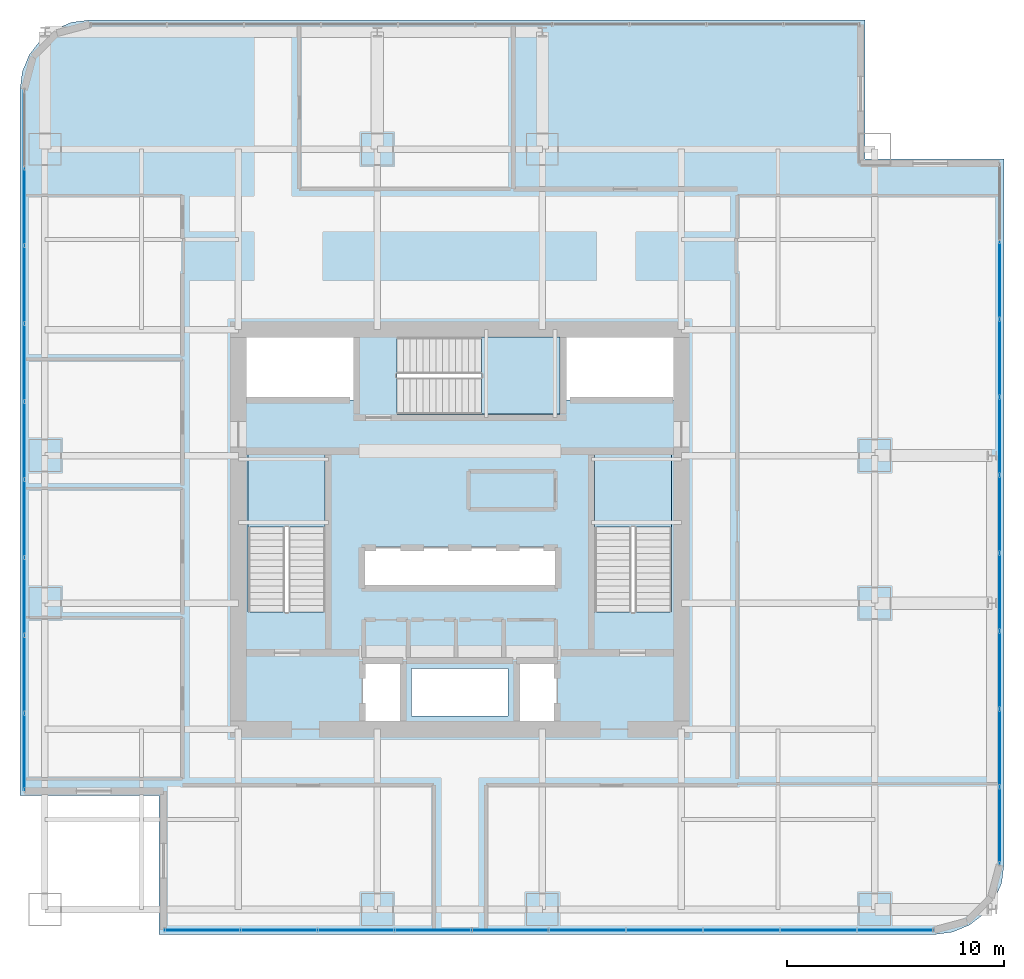
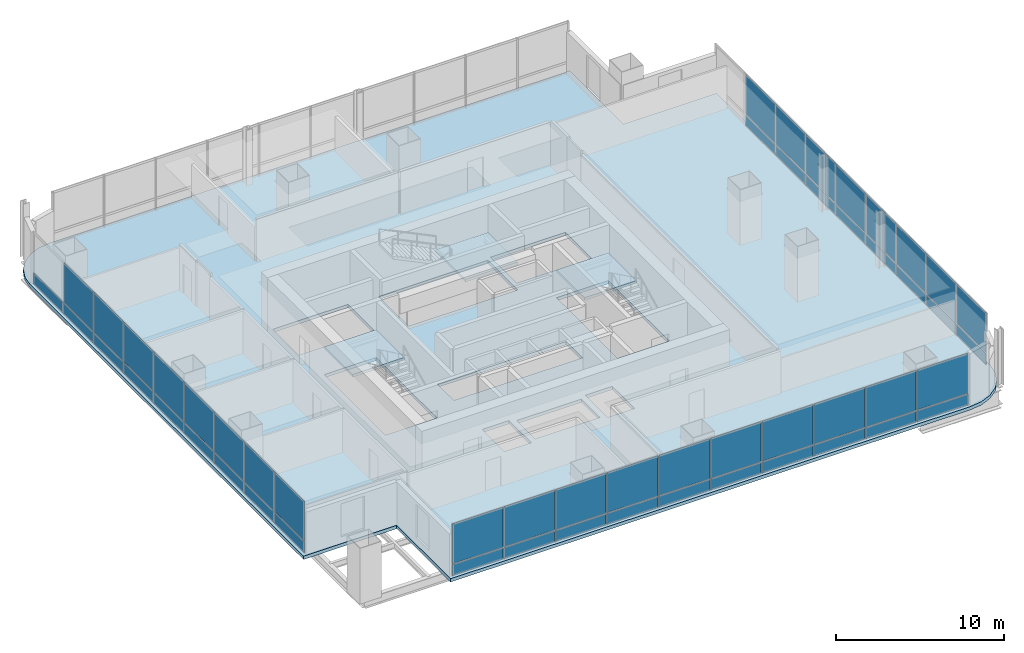
# One storey, part 26 of 34: 53 plates, 4 slabs, 6 elements without a shape of their own.
"""IFC4 building model written with IfcOpenShell, lengths in metres."""

from ifc_helpers import new_model, si_unit, direction, frame, origin, origin_2d, place, context, subcontext, project, spatial, polyline, rectangle, outline, extrude, material, layer, layer_set, type_object, element, aggregate, save


model = new_model("IFC4")

# Units and contexts
model_context = context("Model", 3, precision=1e-05, world=origin(), true_north=direction((0.0, 1.0)))
body_context = subcontext(model_context, "Body", "Model", "MODEL_VIEW")
ifc_project = project(units=[si_unit("LENGTHUNIT", "METRE"), si_unit("AREAUNIT", "SQUARE_METRE"), si_unit("VOLUMEUNIT", "CUBIC_METRE"), si_unit("PLANEANGLEUNIT", "RADIAN"), si_unit("MASSUNIT", "GRAM", prefix="KILO")], contexts=[model_context])

# Site, building, storey
site_placement = place(None, origin())
site = spatial("IfcSite", under=ifc_project, at=site_placement, CompositionType="ELEMENT")
building_placement = place(site_placement, origin())
building = spatial("IfcBuilding", under=site, at=building_placement, Name="Punatoya Terracotta Tower", CompositionType="ELEMENT")
storey_placement = place(building_placement, frame((0.0, 0.0, 117.300048828125)))
storey = spatial("IfcBuildingStorey", under=building, at=storey_placement, Name="L27", CompositionType="ELEMENT", Elevation=117.300048828125)

# Curtain wall, plates
ifc_material_1 = material(Name="Aluminium 6063-T6 + Double Low-E Glass", Category="aluminium")
curtain_wall_type = type_object("IfcCurtainWallType", Name="CW-M1", PredefinedType="NOTDEFINED", material=ifc_material_1)
curtain_wall_1_placement = place(storey_placement, origin())
curtain_wall_1 = element("IfcCurtainWall", 1, at=curtain_wall_1_placement, inside=storey, type_object=curtain_wall_type, Name="L27 Curtain Wall CW-L27-S01-1", PredefinedType="NOTDEFINED")
ifc_material_2 = material(Name="Double Low-E Clear Vision Glass", Category="glass")
ifc_layer_1 = layer(ifc_material_2, 0.028076171875)
ifc_layer_set_1 = layer_set([ifc_layer_1], Name="Double Low-E Clear Vision Glass")
plate_type_1 = type_object("IfcPlateType", Name="PLT-GLZ-28", PredefinedType="CURTAIN_PANEL", material=ifc_layer_set_1)
plate_1_placement = place(storey_placement, frame((-11.875732421875, -18.449951171875, 0.889892578125), z_axis=(0.0, 0.0, 1.0), x_axis=(1.0, 0.0, 0.0)))
plate_1 = element("IfcPlate", 2, at=plate_1_placement, type_object=plate_type_1, Name="CW-L27-S01-1 Vision Glass Panel 1", PredefinedType="CURTAIN_PANEL", context=body_context, shape_type="SweptSolid", body=[
    extrude(rectangle(XDim=3.463623046875, YDim=0.028076171875, at=origin_2d()), origin(), (0.0, 0.0, 1.0), 2.8798828125),
])
plate_2_placement = place(storey_placement, frame((-8.326904296875, -18.449951171875, 0.889892578125), z_axis=(0.0, 0.0, 1.0), x_axis=(1.0, 0.0, 0.0)))
plate_2 = element("IfcPlate", 3, at=plate_2_placement, type_object=plate_type_1, Name="CW-L27-S01-1 Vision Glass Panel 2", PredefinedType="CURTAIN_PANEL", context=body_context, shape_type="SweptSolid", body=[
    extrude(rectangle(XDim=3.463623046875, YDim=0.028076171875, at=origin_2d()), origin(), (0.0, 0.0, 1.0), 2.8798828125),
])
plate_3_placement = place(storey_placement, frame((-4.7783203125, -18.449951171875, 0.889892578125), z_axis=(0.0, 0.0, 1.0), x_axis=(1.0, 0.0, 0.0)))
plate_3 = element("IfcPlate", 4, at=plate_3_placement, type_object=plate_type_1, Name="CW-L27-S01-1 Vision Glass Panel 3", PredefinedType="CURTAIN_PANEL", context=body_context, shape_type="SweptSolid", body=[
    extrude(rectangle(XDim=3.463623046875, YDim=0.028076171875, at=origin_2d()), origin(), (0.0, 0.0, 1.0), 2.8798828125),
])
plate_4_placement = place(storey_placement, frame((-1.2294921875, -18.449951171875, 0.889892578125), z_axis=(0.0, 0.0, 1.0), x_axis=(1.0, 0.0, 0.0)))
plate_4 = element("IfcPlate", 5, at=plate_4_placement, type_object=plate_type_1, Name="CW-L27-S01-1 Vision Glass Panel 4", PredefinedType="CURTAIN_PANEL", context=body_context, shape_type="SweptSolid", body=[
    extrude(rectangle(XDim=3.463623046875, YDim=0.028076171875, at=origin_2d()), origin(), (0.0, 0.0, 1.0), 2.8798828125),
])
plate_5_placement = place(storey_placement, frame((2.319091796875, -18.449951171875, 0.889892578125), z_axis=(0.0, 0.0, 1.0), x_axis=(1.0, 0.0, 0.0)))
plate_5 = element("IfcPlate", 6, at=plate_5_placement, type_object=plate_type_1, Name="CW-L27-S01-1 Vision Glass Panel 5", PredefinedType="CURTAIN_PANEL", context=body_context, shape_type="SweptSolid", body=[
    extrude(rectangle(XDim=3.463623046875, YDim=0.028076171875, at=origin_2d()), origin(), (0.0, 0.0, 1.0), 2.8798828125),
])
plate_6_placement = place(storey_placement, frame((5.867919921875, -18.449951171875, 0.889892578125), z_axis=(0.0, 0.0, 1.0), x_axis=(1.0, 0.0, 0.0)))
plate_6 = element("IfcPlate", 7, at=plate_6_placement, type_object=plate_type_1, Name="CW-L27-S01-1 Vision Glass Panel 6", PredefinedType="CURTAIN_PANEL", context=body_context, shape_type="SweptSolid", body=[
    extrude(rectangle(XDim=3.463623046875, YDim=0.028076171875, at=origin_2d()), origin(), (0.0, 0.0, 1.0), 2.8798828125),
])
plate_7_placement = place(storey_placement, frame((9.41650390625, -18.449951171875, 0.889892578125), z_axis=(0.0, 0.0, 1.0), x_axis=(1.0, 0.0, 0.0)))
plate_7 = element("IfcPlate", 8, at=plate_7_placement, type_object=plate_type_1, Name="CW-L27-S01-1 Vision Glass Panel 7", PredefinedType="CURTAIN_PANEL", context=body_context, shape_type="SweptSolid", body=[
    extrude(rectangle(XDim=3.463623046875, YDim=0.028076171875, at=origin_2d()), origin(), (0.0, 0.0, 1.0), 2.8798828125),
])
plate_8_placement = place(storey_placement, frame((12.965087890625, -18.449951171875, 0.889892578125), z_axis=(0.0, 0.0, 1.0), x_axis=(1.0, 0.0, 0.0)))
plate_8 = element("IfcPlate", 9, at=plate_8_placement, type_object=plate_type_1, Name="CW-L27-S01-1 Vision Glass Panel 8", PredefinedType="CURTAIN_PANEL", context=body_context, shape_type="SweptSolid", body=[
    extrude(rectangle(XDim=3.463623046875, YDim=0.028076171875, at=origin_2d()), origin(), (0.0, 0.0, 1.0), 2.8798828125),
])
plate_9_placement = place(storey_placement, frame((16.513916015625, -18.449951171875, 0.889892578125), z_axis=(0.0, 0.0, 1.0), x_axis=(1.0, 0.0, 0.0)))
plate_9 = element("IfcPlate", 10, at=plate_9_placement, type_object=plate_type_1, Name="CW-L27-S01-1 Vision Glass Panel 9", PredefinedType="CURTAIN_PANEL", context=body_context, shape_type="SweptSolid", body=[
    extrude(rectangle(XDim=3.463623046875, YDim=0.028076171875, at=origin_2d()), origin(), (0.0, 0.0, 1.0), 2.8798828125),
])
plate_10_placement = place(storey_placement, frame((20.0625, -18.449951171875, 0.889892578125), z_axis=(0.0, 0.0, 1.0), x_axis=(1.0, 0.0, 0.0)))
plate_10 = element("IfcPlate", 11, at=plate_10_placement, type_object=plate_type_1, Name="CW-L27-S01-1 Vision Glass Panel 10", PredefinedType="CURTAIN_PANEL", context=body_context, shape_type="SweptSolid", body=[
    extrude(rectangle(XDim=3.463623046875, YDim=0.028076171875, at=origin_2d()), origin(), (0.0, 0.0, 1.0), 2.8798828125),
])

curtain_wall_2_placement = place(storey_placement, origin())
curtain_wall_2 = element("IfcCurtainWall", 12, at=curtain_wall_2_placement, inside=storey, type_object=curtain_wall_type, Name="L27 Curtain Wall CW-L27-E05-1", PredefinedType="NOTDEFINED")
plate_11_placement = place(storey_placement, frame((24.85009765625, -13.643310546875, 0.889892578125), z_axis=(0.0, 0.0, 1.0), x_axis=(0.0, 1.0, 0.0)))
plate_11 = element("IfcPlate", 13, at=plate_11_placement, type_object=plate_type_1, Name="CW-L27-E05-1 Vision Glass Panel 1", PredefinedType="CURTAIN_PANEL", context=body_context, shape_type="SweptSolid", body=[
    extrude(rectangle(XDim=3.50244140625, YDim=0.028076171875, at=origin_2d()), origin(), (0.0, 0.0, 1.0), 2.8798828125),
])
plate_12_placement = place(storey_placement, frame((24.85009765625, -10.0556640625, 0.889892578125), z_axis=(0.0, 0.0, 1.0), x_axis=(0.0, 1.0, 0.0)))
plate_12 = element("IfcPlate", 14, at=plate_12_placement, type_object=plate_type_1, Name="CW-L27-E05-1 Vision Glass Panel 2", PredefinedType="CURTAIN_PANEL", context=body_context, shape_type="SweptSolid", body=[
    extrude(rectangle(XDim=3.50244140625, YDim=0.028076171875, at=origin_2d()), origin(), (0.0, 0.0, 1.0), 2.8798828125),
])
plate_13_placement = place(storey_placement, frame((24.85009765625, -6.46826171875, 0.889892578125), z_axis=(0.0, 0.0, 1.0), x_axis=(0.0, 1.0, 0.0)))
plate_13 = element("IfcPlate", 15, at=plate_13_placement, type_object=plate_type_1, Name="CW-L27-E05-1 Vision Glass Panel 3", PredefinedType="CURTAIN_PANEL", context=body_context, shape_type="SweptSolid", body=[
    extrude(rectangle(XDim=3.50244140625, YDim=0.028076171875, at=origin_2d()), origin(), (0.0, 0.0, 1.0), 2.8798828125),
])
plate_14_placement = place(storey_placement, frame((24.85009765625, -2.880859375, 0.889892578125), z_axis=(0.0, 0.0, 1.0), x_axis=(0.0, 1.0, 0.0)))
plate_14 = element("IfcPlate", 16, at=plate_14_placement, type_object=plate_type_1, Name="CW-L27-E05-1 Vision Glass Panel 4", PredefinedType="CURTAIN_PANEL", context=body_context, shape_type="SweptSolid", body=[
    extrude(rectangle(XDim=3.50244140625, YDim=0.028076171875, at=origin_2d()), origin(), (0.0, 0.0, 1.0), 2.8798828125),
])
plate_15_placement = place(storey_placement, frame((24.85009765625, 0.70654296875, 0.889892578125), z_axis=(0.0, 0.0, 1.0), x_axis=(0.0, 1.0, 0.0)))
plate_15 = element("IfcPlate", 17, at=plate_15_placement, type_object=plate_type_1, Name="CW-L27-E05-1 Vision Glass Panel 5", PredefinedType="CURTAIN_PANEL", context=body_context, shape_type="SweptSolid", body=[
    extrude(rectangle(XDim=3.50244140625, YDim=0.028076171875, at=origin_2d()), origin(), (0.0, 0.0, 1.0), 2.8798828125),
])
plate_16_placement = place(storey_placement, frame((24.85009765625, 4.2939453125, 0.889892578125), z_axis=(0.0, 0.0, 1.0), x_axis=(0.0, 1.0, 0.0)))
plate_16 = element("IfcPlate", 18, at=plate_16_placement, type_object=plate_type_1, Name="CW-L27-E05-1 Vision Glass Panel 6", PredefinedType="CURTAIN_PANEL", context=body_context, shape_type="SweptSolid", body=[
    extrude(rectangle(XDim=3.50244140625, YDim=0.028076171875, at=origin_2d()), origin(), (0.0, 0.0, 1.0), 2.8798828125),
])
plate_17_placement = place(storey_placement, frame((24.85009765625, 7.88134765625, 0.889892578125), z_axis=(0.0, 0.0, 1.0), x_axis=(0.0, 1.0, 0.0)))
plate_17 = element("IfcPlate", 19, at=plate_17_placement, type_object=plate_type_1, Name="CW-L27-E05-1 Vision Glass Panel 7", PredefinedType="CURTAIN_PANEL", context=body_context, shape_type="SweptSolid", body=[
    extrude(rectangle(XDim=3.50244140625, YDim=0.028076171875, at=origin_2d()), origin(), (0.0, 0.0, 1.0), 2.8798828125),
])
plate_18_placement = place(storey_placement, frame((24.85009765625, 11.468994140625, 0.889892578125), z_axis=(0.0, 0.0, 1.0), x_axis=(0.0, 1.0, 0.0)))
plate_18 = element("IfcPlate", 20, at=plate_18_placement, type_object=plate_type_1, Name="CW-L27-E05-1 Vision Glass Panel 8", PredefinedType="CURTAIN_PANEL", context=body_context, shape_type="SweptSolid", body=[
    extrude(rectangle(XDim=3.50244140625, YDim=0.028076171875, at=origin_2d()), origin(), (0.0, 0.0, 1.0), 2.8798828125),
])

curtain_wall_3_placement = place(storey_placement, origin())
curtain_wall_3 = element("IfcCurtainWall", 21, at=curtain_wall_3_placement, inside=storey, type_object=curtain_wall_type, Name="L27 Curtain Wall CW-L27-W12-1", PredefinedType="NOTDEFINED")
plate_19_placement = place(storey_placement, frame((-20.050048828125, 14.855712890625, 0.889892578125), z_axis=(0.0, 0.0, 1.0), x_axis=(0.0, -1.0, 0.0)))
plate_19 = element("IfcPlate", 22, at=plate_19_placement, type_object=plate_type_1, Name="CW-L27-W12-1 Vision Glass Panel 2", PredefinedType="CURTAIN_PANEL", context=body_context, shape_type="SweptSolid", body=[
    extrude(rectangle(XDim=3.50244140625, YDim=0.028076171875, at=origin_2d()), origin(), (0.0, 0.0, 1.0), 2.8798828125),
])
plate_20_placement = place(storey_placement, frame((-20.050048828125, 11.268310546875, 0.889892578125), z_axis=(0.0, 0.0, 1.0), x_axis=(0.0, -1.0, 0.0)))
plate_20 = element("IfcPlate", 23, at=plate_20_placement, type_object=plate_type_1, Name="CW-L27-W12-1 Vision Glass Panel 3", PredefinedType="CURTAIN_PANEL", context=body_context, shape_type="SweptSolid", body=[
    extrude(rectangle(XDim=3.50244140625, YDim=0.028076171875, at=origin_2d()), origin(), (0.0, 0.0, 1.0), 2.8798828125),
])
plate_21_placement = place(storey_placement, frame((-20.050048828125, 7.680908203125, 0.889892578125), z_axis=(0.0, 0.0, 1.0), x_axis=(0.0, -1.0, 0.0)))
plate_21 = element("IfcPlate", 24, at=plate_21_placement, type_object=plate_type_1, Name="CW-L27-W12-1 Vision Glass Panel 4", PredefinedType="CURTAIN_PANEL", context=body_context, shape_type="SweptSolid", body=[
    extrude(rectangle(XDim=3.50244140625, YDim=0.028076171875, at=origin_2d()), origin(), (0.0, 0.0, 1.0), 2.8798828125),
])
plate_22_placement = place(storey_placement, frame((-20.050048828125, 4.093505859375, 0.889892578125), z_axis=(0.0, 0.0, 1.0), x_axis=(0.0, -1.0, 0.0)))
plate_22 = element("IfcPlate", 25, at=plate_22_placement, type_object=plate_type_1, Name="CW-L27-W12-1 Vision Glass Panel 5", PredefinedType="CURTAIN_PANEL", context=body_context, shape_type="SweptSolid", body=[
    extrude(rectangle(XDim=3.50244140625, YDim=0.028076171875, at=origin_2d()), origin(), (0.0, 0.0, 1.0), 2.8798828125),
])
plate_23_placement = place(storey_placement, frame((-20.050048828125, 0.506103515625, 0.889892578125), z_axis=(0.0, 0.0, 1.0), x_axis=(0.0, -1.0, 0.0)))
plate_23 = element("IfcPlate", 26, at=plate_23_placement, type_object=plate_type_1, Name="CW-L27-W12-1 Vision Glass Panel 6", PredefinedType="CURTAIN_PANEL", context=body_context, shape_type="SweptSolid", body=[
    extrude(rectangle(XDim=3.50244140625, YDim=0.028076171875, at=origin_2d()), origin(), (0.0, 0.0, 1.0), 2.8798828125),
])
plate_24_placement = place(storey_placement, frame((-20.050048828125, -3.081298828125, 0.889892578125), z_axis=(0.0, 0.0, 1.0), x_axis=(0.0, -1.0, 0.0)))
plate_24 = element("IfcPlate", 27, at=plate_24_placement, type_object=plate_type_1, Name="CW-L27-W12-1 Vision Glass Panel 7", PredefinedType="CURTAIN_PANEL", context=body_context, shape_type="SweptSolid", body=[
    extrude(rectangle(XDim=3.50244140625, YDim=0.028076171875, at=origin_2d()), origin(), (0.0, 0.0, 1.0), 2.8798828125),
])
plate_25_placement = place(storey_placement, frame((-20.050048828125, -6.6689453125, 0.889892578125), z_axis=(0.0, 0.0, 1.0), x_axis=(0.0, -1.0, 0.0)))
plate_25 = element("IfcPlate", 28, at=plate_25_placement, type_object=plate_type_1, Name="CW-L27-W12-1 Vision Glass Panel 8", PredefinedType="CURTAIN_PANEL", context=body_context, shape_type="SweptSolid", body=[
    extrude(rectangle(XDim=3.50244140625, YDim=0.028076171875, at=origin_2d()), origin(), (0.0, 0.0, 1.0), 2.8798828125),
])
plate_26_placement = place(storey_placement, frame((-20.050048828125, -10.25634765625, 0.889892578125), z_axis=(0.0, 0.0, 1.0), x_axis=(0.0, -1.0, 0.0)))
plate_26 = element("IfcPlate", 29, at=plate_26_placement, type_object=plate_type_1, Name="CW-L27-W12-1 Vision Glass Panel 9", PredefinedType="CURTAIN_PANEL", context=body_context, shape_type="SweptSolid", body=[
    extrude(rectangle(XDim=3.50244140625, YDim=0.028076171875, at=origin_2d()), origin(), (0.0, 0.0, 1.0), 2.8798828125),
])

# Plate
ifc_material_3 = material(Name="Insulated Terracotta-Backed Spandrel Panel", Category="masonry")
ifc_layer_2 = layer(ifc_material_3, 0.044921875)
ifc_layer_set_2 = layer_set([ifc_layer_2], Name="Insulated Terracotta-Backed Spandrel Panel")
plate_type_2 = type_object("IfcPlateType", Name="PLT-SPN-45", PredefinedType="CURTAIN_PANEL", material=ifc_layer_set_2)
plate_27_placement = place(storey_placement, frame((-11.875732421875, -18.449951171875, 0.0400390625), z_axis=(0.0, 0.0, 1.0), x_axis=(1.0, 0.0, 0.0)))
plate_27 = element("IfcPlate", 30, at=plate_27_placement, type_object=plate_type_2, Name="CW-L27-S01-1 Terracotta Spandrel Panel 1", PredefinedType="CURTAIN_PANEL", context=body_context, shape_type="SweptSolid", body=[
    extrude(rectangle(XDim=3.463623046875, YDim=0.044921875, at=origin_2d()), origin(), (0.0, 0.0, 1.0), 0.77490234375),
])

plate_28_placement = place(storey_placement, frame((-8.326904296875, -18.449951171875, 0.0400390625), z_axis=(0.0, 0.0, 1.0), x_axis=(1.0, 0.0, 0.0)))
plate_28 = element("IfcPlate", 31, at=plate_28_placement, type_object=plate_type_2, Name="CW-L27-S01-1 Terracotta Spandrel Panel 2", PredefinedType="CURTAIN_PANEL", context=body_context, shape_type="SweptSolid", body=[
    extrude(rectangle(XDim=3.463623046875, YDim=0.044921875, at=origin_2d()), origin(), (0.0, 0.0, 1.0), 0.77490234375),
])

plate_29_placement = place(storey_placement, frame((-4.7783203125, -18.449951171875, 0.0400390625), z_axis=(0.0, 0.0, 1.0), x_axis=(1.0, 0.0, 0.0)))
plate_29 = element("IfcPlate", 32, at=plate_29_placement, type_object=plate_type_2, Name="CW-L27-S01-1 Terracotta Spandrel Panel 3", PredefinedType="CURTAIN_PANEL", context=body_context, shape_type="SweptSolid", body=[
    extrude(rectangle(XDim=3.463623046875, YDim=0.044921875, at=origin_2d()), origin(), (0.0, 0.0, 1.0), 0.77490234375),
])

plate_30_placement = place(storey_placement, frame((-1.2294921875, -18.449951171875, 0.0400390625), z_axis=(0.0, 0.0, 1.0), x_axis=(1.0, 0.0, 0.0)))
plate_30 = element("IfcPlate", 33, at=plate_30_placement, type_object=plate_type_2, Name="CW-L27-S01-1 Terracotta Spandrel Panel 4", PredefinedType="CURTAIN_PANEL", context=body_context, shape_type="SweptSolid", body=[
    extrude(rectangle(XDim=3.463623046875, YDim=0.044921875, at=origin_2d()), origin(), (0.0, 0.0, 1.0), 0.77490234375),
])

plate_31_placement = place(storey_placement, frame((2.319091796875, -18.449951171875, 0.0400390625), z_axis=(0.0, 0.0, 1.0), x_axis=(1.0, 0.0, 0.0)))
plate_31 = element("IfcPlate", 34, at=plate_31_placement, type_object=plate_type_2, Name="CW-L27-S01-1 Terracotta Spandrel Panel 5", PredefinedType="CURTAIN_PANEL", context=body_context, shape_type="SweptSolid", body=[
    extrude(rectangle(XDim=3.463623046875, YDim=0.044921875, at=origin_2d()), origin(), (0.0, 0.0, 1.0), 0.77490234375),
])

plate_32_placement = place(storey_placement, frame((5.867919921875, -18.449951171875, 0.0400390625), z_axis=(0.0, 0.0, 1.0), x_axis=(1.0, 0.0, 0.0)))
plate_32 = element("IfcPlate", 35, at=plate_32_placement, type_object=plate_type_2, Name="CW-L27-S01-1 Terracotta Spandrel Panel 6", PredefinedType="CURTAIN_PANEL", context=body_context, shape_type="SweptSolid", body=[
    extrude(rectangle(XDim=3.463623046875, YDim=0.044921875, at=origin_2d()), origin(), (0.0, 0.0, 1.0), 0.77490234375),
])

plate_33_placement = place(storey_placement, frame((9.41650390625, -18.449951171875, 0.0400390625), z_axis=(0.0, 0.0, 1.0), x_axis=(1.0, 0.0, 0.0)))
plate_33 = element("IfcPlate", 36, at=plate_33_placement, type_object=plate_type_2, Name="CW-L27-S01-1 Terracotta Spandrel Panel 7", PredefinedType="CURTAIN_PANEL", context=body_context, shape_type="SweptSolid", body=[
    extrude(rectangle(XDim=3.463623046875, YDim=0.044921875, at=origin_2d()), origin(), (0.0, 0.0, 1.0), 0.77490234375),
])

plate_34_placement = place(storey_placement, frame((12.965087890625, -18.449951171875, 0.0400390625), z_axis=(0.0, 0.0, 1.0), x_axis=(1.0, 0.0, 0.0)))
plate_34 = element("IfcPlate", 37, at=plate_34_placement, type_object=plate_type_2, Name="CW-L27-S01-1 Terracotta Spandrel Panel 8", PredefinedType="CURTAIN_PANEL", context=body_context, shape_type="SweptSolid", body=[
    extrude(rectangle(XDim=3.463623046875, YDim=0.044921875, at=origin_2d()), origin(), (0.0, 0.0, 1.0), 0.77490234375),
])

plate_35_placement = place(storey_placement, frame((16.513916015625, -18.449951171875, 0.0400390625), z_axis=(0.0, 0.0, 1.0), x_axis=(1.0, 0.0, 0.0)))
plate_35 = element("IfcPlate", 38, at=plate_35_placement, type_object=plate_type_2, Name="CW-L27-S01-1 Terracotta Spandrel Panel 9", PredefinedType="CURTAIN_PANEL", context=body_context, shape_type="SweptSolid", body=[
    extrude(rectangle(XDim=3.463623046875, YDim=0.044921875, at=origin_2d()), origin(), (0.0, 0.0, 1.0), 0.77490234375),
])

plate_36_placement = place(storey_placement, frame((20.0625, -18.449951171875, 0.0400390625), z_axis=(0.0, 0.0, 1.0), x_axis=(1.0, 0.0, 0.0)))
plate_36 = element("IfcPlate", 39, at=plate_36_placement, type_object=plate_type_2, Name="CW-L27-S01-1 Terracotta Spandrel Panel 10", PredefinedType="CURTAIN_PANEL", context=body_context, shape_type="SweptSolid", body=[
    extrude(rectangle(XDim=3.463623046875, YDim=0.044921875, at=origin_2d()), origin(), (0.0, 0.0, 1.0), 0.77490234375),
])

aggregate(curtain_wall_1, [plate_27, plate_1, plate_28, plate_2, plate_29, plate_3, plate_30, plate_4, plate_31, plate_5, plate_32, plate_6, plate_33, plate_7, plate_34, plate_8, plate_35, plate_9, plate_36, plate_10])

plate_37_placement = place(storey_placement, frame((24.85009765625, -13.643310546875, 0.0400390625), z_axis=(0.0, 0.0, 1.0), x_axis=(0.0, 1.0, 0.0)))
plate_37 = element("IfcPlate", 40, at=plate_37_placement, type_object=plate_type_2, Name="CW-L27-E05-1 Terracotta Spandrel Panel 1", PredefinedType="CURTAIN_PANEL", context=body_context, shape_type="SweptSolid", body=[
    extrude(rectangle(XDim=3.50244140625, YDim=0.044921875, at=origin_2d()), origin(), (0.0, 0.0, 1.0), 0.77490234375),
])

plate_38_placement = place(storey_placement, frame((24.85009765625, -10.0556640625, 0.0400390625), z_axis=(0.0, 0.0, 1.0), x_axis=(0.0, 1.0, 0.0)))
plate_38 = element("IfcPlate", 41, at=plate_38_placement, type_object=plate_type_2, Name="CW-L27-E05-1 Terracotta Spandrel Panel 2", PredefinedType="CURTAIN_PANEL", context=body_context, shape_type="SweptSolid", body=[
    extrude(rectangle(XDim=3.50244140625, YDim=0.044921875, at=origin_2d()), origin(), (0.0, 0.0, 1.0), 0.77490234375),
])

plate_39_placement = place(storey_placement, frame((24.85009765625, -6.46826171875, 0.0400390625), z_axis=(0.0, 0.0, 1.0), x_axis=(0.0, 1.0, 0.0)))
plate_39 = element("IfcPlate", 42, at=plate_39_placement, type_object=plate_type_2, Name="CW-L27-E05-1 Terracotta Spandrel Panel 3", PredefinedType="CURTAIN_PANEL", context=body_context, shape_type="SweptSolid", body=[
    extrude(rectangle(XDim=3.50244140625, YDim=0.044921875, at=origin_2d()), origin(), (0.0, 0.0, 1.0), 0.77490234375),
])

plate_40_placement = place(storey_placement, frame((24.85009765625, -2.880859375, 0.0400390625), z_axis=(0.0, 0.0, 1.0), x_axis=(0.0, 1.0, 0.0)))
plate_40 = element("IfcPlate", 43, at=plate_40_placement, type_object=plate_type_2, Name="CW-L27-E05-1 Terracotta Spandrel Panel 4", PredefinedType="CURTAIN_PANEL", context=body_context, shape_type="SweptSolid", body=[
    extrude(rectangle(XDim=3.50244140625, YDim=0.044921875, at=origin_2d()), origin(), (0.0, 0.0, 1.0), 0.77490234375),
])

plate_41_placement = place(storey_placement, frame((24.85009765625, 0.70654296875, 0.0400390625), z_axis=(0.0, 0.0, 1.0), x_axis=(0.0, 1.0, 0.0)))
plate_41 = element("IfcPlate", 44, at=plate_41_placement, type_object=plate_type_2, Name="CW-L27-E05-1 Terracotta Spandrel Panel 5", PredefinedType="CURTAIN_PANEL", context=body_context, shape_type="SweptSolid", body=[
    extrude(rectangle(XDim=3.50244140625, YDim=0.044921875, at=origin_2d()), origin(), (0.0, 0.0, 1.0), 0.77490234375),
])

plate_42_placement = place(storey_placement, frame((24.85009765625, 4.2939453125, 0.0400390625), z_axis=(0.0, 0.0, 1.0), x_axis=(0.0, 1.0, 0.0)))
plate_42 = element("IfcPlate", 45, at=plate_42_placement, type_object=plate_type_2, Name="CW-L27-E05-1 Terracotta Spandrel Panel 6", PredefinedType="CURTAIN_PANEL", context=body_context, shape_type="SweptSolid", body=[
    extrude(rectangle(XDim=3.50244140625, YDim=0.044921875, at=origin_2d()), origin(), (0.0, 0.0, 1.0), 0.77490234375),
])

plate_43_placement = place(storey_placement, frame((24.85009765625, 7.88134765625, 0.0400390625), z_axis=(0.0, 0.0, 1.0), x_axis=(0.0, 1.0, 0.0)))
plate_43 = element("IfcPlate", 46, at=plate_43_placement, type_object=plate_type_2, Name="CW-L27-E05-1 Terracotta Spandrel Panel 7", PredefinedType="CURTAIN_PANEL", context=body_context, shape_type="SweptSolid", body=[
    extrude(rectangle(XDim=3.50244140625, YDim=0.044921875, at=origin_2d()), origin(), (0.0, 0.0, 1.0), 0.77490234375),
])

plate_44_placement = place(storey_placement, frame((24.85009765625, 11.468994140625, 0.0400390625), z_axis=(0.0, 0.0, 1.0), x_axis=(0.0, 1.0, 0.0)))
plate_44 = element("IfcPlate", 47, at=plate_44_placement, type_object=plate_type_2, Name="CW-L27-E05-1 Terracotta Spandrel Panel 8", PredefinedType="CURTAIN_PANEL", context=body_context, shape_type="SweptSolid", body=[
    extrude(rectangle(XDim=3.50244140625, YDim=0.044921875, at=origin_2d()), origin(), (0.0, 0.0, 1.0), 0.77490234375),
])

aggregate(curtain_wall_2, [plate_37, plate_11, plate_38, plate_12, plate_39, plate_13, plate_40, plate_14, plate_41, plate_15, plate_42, plate_16, plate_43, plate_17, plate_44, plate_18])

plate_45_placement = place(storey_placement, frame((-20.050048828125, 18.443115234375, 0.0400390625), z_axis=(0.0, 0.0, 1.0), x_axis=(0.0, -1.0, 0.0)))
plate_45 = element("IfcPlate", 48, at=plate_45_placement, type_object=plate_type_2, Name="CW-L27-W12-1 Terracotta Spandrel Panel 1", PredefinedType="CURTAIN_PANEL", context=body_context, shape_type="SweptSolid", body=[
    extrude(rectangle(XDim=3.50244140625, YDim=0.044921875, at=origin_2d()), origin(), (0.0, 0.0, 1.0), 0.77490234375),
])

plate_46_placement = place(storey_placement, frame((-20.050048828125, 14.855712890625, 0.0400390625), z_axis=(0.0, 0.0, 1.0), x_axis=(0.0, -1.0, 0.0)))
plate_46 = element("IfcPlate", 49, at=plate_46_placement, type_object=plate_type_2, Name="CW-L27-W12-1 Terracotta Spandrel Panel 2", PredefinedType="CURTAIN_PANEL", context=body_context, shape_type="SweptSolid", body=[
    extrude(rectangle(XDim=3.50244140625, YDim=0.044921875, at=origin_2d()), origin(), (0.0, 0.0, 1.0), 0.77490234375),
])

plate_47_placement = place(storey_placement, frame((-20.050048828125, 11.268310546875, 0.0400390625), z_axis=(0.0, 0.0, 1.0), x_axis=(0.0, -1.0, 0.0)))
plate_47 = element("IfcPlate", 50, at=plate_47_placement, type_object=plate_type_2, Name="CW-L27-W12-1 Terracotta Spandrel Panel 3", PredefinedType="CURTAIN_PANEL", context=body_context, shape_type="SweptSolid", body=[
    extrude(rectangle(XDim=3.50244140625, YDim=0.044921875, at=origin_2d()), origin(), (0.0, 0.0, 1.0), 0.77490234375),
])

plate_48_placement = place(storey_placement, frame((-20.050048828125, 7.680908203125, 0.0400390625), z_axis=(0.0, 0.0, 1.0), x_axis=(0.0, -1.0, 0.0)))
plate_48 = element("IfcPlate", 51, at=plate_48_placement, type_object=plate_type_2, Name="CW-L27-W12-1 Terracotta Spandrel Panel 4", PredefinedType="CURTAIN_PANEL", context=body_context, shape_type="SweptSolid", body=[
    extrude(rectangle(XDim=3.50244140625, YDim=0.044921875, at=origin_2d()), origin(), (0.0, 0.0, 1.0), 0.77490234375),
])

plate_49_placement = place(storey_placement, frame((-20.050048828125, 4.093505859375, 0.0400390625), z_axis=(0.0, 0.0, 1.0), x_axis=(0.0, -1.0, 0.0)))
plate_49 = element("IfcPlate", 52, at=plate_49_placement, type_object=plate_type_2, Name="CW-L27-W12-1 Terracotta Spandrel Panel 5", PredefinedType="CURTAIN_PANEL", context=body_context, shape_type="SweptSolid", body=[
    extrude(rectangle(XDim=3.50244140625, YDim=0.044921875, at=origin_2d()), origin(), (0.0, 0.0, 1.0), 0.77490234375),
])

plate_50_placement = place(storey_placement, frame((-20.050048828125, 0.506103515625, 0.0400390625), z_axis=(0.0, 0.0, 1.0), x_axis=(0.0, -1.0, 0.0)))
plate_50 = element("IfcPlate", 53, at=plate_50_placement, type_object=plate_type_2, Name="CW-L27-W12-1 Terracotta Spandrel Panel 6", PredefinedType="CURTAIN_PANEL", context=body_context, shape_type="SweptSolid", body=[
    extrude(rectangle(XDim=3.50244140625, YDim=0.044921875, at=origin_2d()), origin(), (0.0, 0.0, 1.0), 0.77490234375),
])

plate_51_placement = place(storey_placement, frame((-20.050048828125, -3.081298828125, 0.0400390625), z_axis=(0.0, 0.0, 1.0), x_axis=(0.0, -1.0, 0.0)))
plate_51 = element("IfcPlate", 54, at=plate_51_placement, type_object=plate_type_2, Name="CW-L27-W12-1 Terracotta Spandrel Panel 7", PredefinedType="CURTAIN_PANEL", context=body_context, shape_type="SweptSolid", body=[
    extrude(rectangle(XDim=3.50244140625, YDim=0.044921875, at=origin_2d()), origin(), (0.0, 0.0, 1.0), 0.77490234375),
])

plate_52_placement = place(storey_placement, frame((-20.050048828125, -6.6689453125, 0.0400390625), z_axis=(0.0, 0.0, 1.0), x_axis=(0.0, -1.0, 0.0)))
plate_52 = element("IfcPlate", 55, at=plate_52_placement, type_object=plate_type_2, Name="CW-L27-W12-1 Terracotta Spandrel Panel 8", PredefinedType="CURTAIN_PANEL", context=body_context, shape_type="SweptSolid", body=[
    extrude(rectangle(XDim=3.50244140625, YDim=0.044921875, at=origin_2d()), origin(), (0.0, 0.0, 1.0), 0.77490234375),
])

plate_53_placement = place(storey_placement, frame((-20.050048828125, -10.25634765625, 0.0400390625), z_axis=(0.0, 0.0, 1.0), x_axis=(0.0, -1.0, 0.0)))
plate_53 = element("IfcPlate", 56, at=plate_53_placement, type_object=plate_type_2, Name="CW-L27-W12-1 Terracotta Spandrel Panel 9", PredefinedType="CURTAIN_PANEL", context=body_context, shape_type="SweptSolid", body=[
    extrude(rectangle(XDim=3.50244140625, YDim=0.044921875, at=origin_2d()), origin(), (0.0, 0.0, 1.0), 0.77490234375),
])

aggregate(curtain_wall_3, [plate_45, plate_46, plate_19, plate_47, plate_20, plate_48, plate_21, plate_49, plate_22, plate_50, plate_23, plate_51, plate_24, plate_52, plate_25, plate_53, plate_26])

# Stair, slab
ifc_material_4 = material(Name="Concrete C40/50", Category="concrete")
stair_type_1 = type_object("IfcStairType", Name="STR-TER-1450", PredefinedType="HALF_TURN_STAIR", material=ifc_material_4)
stair_1_placement = place(storey_placement, origin())
stair_1 = element("IfcStair", 57, at=stair_1_placement, inside=storey, type_object=stair_type_1, Name="L27 Protected Core Exit Stair ST-3", PredefinedType="HALF_TURN_STAIR")
ifc_layer_3 = layer(ifc_material_4, 0.1650390625)
ifc_layer_set_3 = layer_set([ifc_layer_3], Name="Concrete C40/50")
slab_type_1 = type_object("IfcSlabType", Name="SLB-LND-165", PredefinedType="LANDING", material=ifc_layer_set_3)
slab_1_placement = place(storey_placement, frame((0.0, 0.0, 1.824951171875)))
slab_1 = element("IfcSlab", 58, at=slab_1_placement, type_object=slab_type_1, Name="ST-3 landing 1", PredefinedType="LANDING", context=body_context, shape_type="SweptSolid", body=[
    extrude(outline(polyline([(1.0, 5.300048828125), (4.60009765625, 5.300048828125), (4.60009765625, 8.85009765625), (1.0, 8.85009765625), (1.0, 5.300048828125)])), origin(), (0.0, 0.0, 1.0), 0.199951171875),
])
aggregate(stair_1, [slab_1])

stair_type_2 = type_object("IfcStairType", Name="STR-CORE-1550", PredefinedType="HALF_TURN_STAIR", material=ifc_material_4)
stair_2_placement = place(storey_placement, origin())
stair_2 = element("IfcStair", 59, at=stair_2_placement, inside=storey, type_object=stair_type_2, Name="L27 Protected Core Exit Stair ST-1", PredefinedType="HALF_TURN_STAIR")
ifc_layer_4 = layer(ifc_material_4, 0.179931640625)
ifc_layer_set_4 = layer_set([ifc_layer_4], Name="Concrete C40/50")
slab_type_2 = type_object("IfcSlabType", Name="SLB-LND-180", PredefinedType="LANDING", material=ifc_layer_set_4)
slab_2_placement = place(storey_placement, frame((0.0, 0.0, 1.824951171875)))
slab_2 = element("IfcSlab", 60, at=slab_2_placement, type_object=slab_type_2, Name="ST-1 landing 1", PredefinedType="LANDING", context=body_context, shape_type="SweptSolid", body=[
    extrude(outline(polyline([(-6.199951171875, 0.10009765625), (-6.199951171875, 3.449951171875), (-9.75, 3.449951171875), (-9.75, 0.10009765625), (-6.199951171875, 0.10009765625)])), origin(), (0.0, 0.0, 1.0), 0.199951171875),
])
aggregate(stair_2, [slab_2])

stair_type_3 = type_object("IfcStairType", Name="STR-LOB-1650", PredefinedType="HALF_TURN_STAIR", material=ifc_material_4)
stair_3_placement = place(storey_placement, origin())
stair_3 = element("IfcStair", 61, at=stair_3_placement, inside=storey, type_object=stair_type_3, Name="L27 Protected Core Exit Stair ST-2", PredefinedType="HALF_TURN_STAIR")
slab_3_placement = place(storey_placement, frame((0.0, 0.0, 1.824951171875)))
slab_3 = element("IfcSlab", 62, at=slab_3_placement, type_object=slab_type_2, Name="ST-2 landing 1", PredefinedType="LANDING", context=body_context, shape_type="SweptSolid", body=[
    extrude(outline(polyline([(9.75, 0.10009765625), (9.75, 3.449951171875), (6.199951171875, 3.449951171875), (6.199951171875, 0.10009765625), (9.75, 0.10009765625)])), origin(), (0.0, 0.0, 1.0), 0.199951171875),
])
aggregate(stair_3, [slab_3])

# Slab
ifc_layer_5 = layer(ifc_material_4, 0.239990234375)
ifc_layer_set_5 = layer_set([ifc_layer_5], Name="Concrete C40/50")
slab_type_3 = type_object("IfcSlabType", Name="SLB-OFF-240", PredefinedType="FLOOR", material=ifc_layer_set_5)
slab_4_placement = place(storey_placement, frame((0.0, 0.0, -0.239990234375)))
element("IfcSlab", 63, at=slab_4_placement, inside=storey, type_object=slab_type_3, Name="L27 Structural Floor Slab", PredefinedType="FLOOR", context=body_context, shape_type="SweptSolid", body=[
    extrude(outline(polyline([(-13.85009765625, -18.64990234375), (-13.85009765625, -12.25), (-20.25, -12.25), (-20.25, 20.25), (-20.14111328125, 21.078125), (-19.8212890625, 21.85009765625), (-19.312744140625, 22.5126953125), (-18.64990234375, 23.021240234375), (-17.878173828125, 23.341064453125), (-17.050048828125, 23.449951171875), (18.64990234375, 23.449951171875), (18.64990234375, 17.050048828125), (25.050048828125, 17.050048828125), (25.050048828125, -15.449951171875), (24.94091796875, -16.2783203125), (24.621337890625, -17.050048828125), (24.11279296875, -17.712646484375), (23.449951171875, -18.22119140625), (22.67822265625, -18.541015625), (21.85009765625, -18.64990234375), (-13.85009765625, -18.64990234375)]), holes=[polyline([(-2.6298828125, -6.179931640625), (-4.469970703125, -6.179931640625), (-4.469970703125, -8.820068359375), (-2.6298828125, -8.820068359375), (-2.6298828125, -6.179931640625)]), polyline([(0.02001953125, -8.594970703125), (2.219970703125, -8.594970703125), (2.219970703125, -6.405029296875), (0.02001953125, -6.405029296875), (-0.02001953125, -6.405029296875), (-2.219970703125, -6.405029296875), (-2.219970703125, -8.594970703125), (-0.02001953125, -8.594970703125), (0.02001953125, -8.594970703125)]), polyline([(-2.219970703125, -2.719970703125), (-2.179931640625, -2.719970703125), (-0.02001953125, -2.719970703125), (0.02001953125, -2.719970703125), (2.179931640625, -2.719970703125), (2.219970703125, -2.719970703125), (4.419921875, -2.719970703125), (4.419921875, -0.780029296875), (2.219970703125, -0.780029296875), (2.179931640625, -0.780029296875), (0.02001953125, -0.780029296875), (-0.02001953125, -0.780029296875), (-2.179931640625, -0.780029296875), (-2.219970703125, -0.780029296875), (-4.419921875, -0.780029296875), (-4.419921875, -2.719970703125), (-2.219970703125, -2.719970703125)]), polyline([(-6.199951171875, 3.449951171875), (-9.75, 3.449951171875), (-9.75, -3.79931640625), (-6.199951171875, -3.79931640625), (-6.199951171875, 3.449951171875)]), polyline([(4.60009765625, 5.300048828125), (4.60009765625, 8.85009765625), (-2.899169921875, 8.85009765625), (-2.899169921875, 5.300048828125), (4.60009765625, 5.300048828125)]), polyline([(-4.89990234375, 9.050048828125), (-10.050048828125, 9.050048828125), (-10.050048828125, 5.949951171875), (-4.89990234375, 5.949951171875), (-4.89990234375, 9.050048828125)]), polyline([(4.469970703125, -8.820068359375), (4.469970703125, -6.179931640625), (2.6298828125, -6.179931640625), (2.6298828125, -8.820068359375), (4.469970703125, -8.820068359375)]), polyline([(9.75, 3.449951171875), (6.199951171875, 3.449951171875), (6.199951171875, -3.79931640625), (9.75, -3.79931640625), (9.75, 3.449951171875)]), polyline([(10.050048828125, 5.949951171875), (10.050048828125, 9.050048828125), (4.89990234375, 9.050048828125), (4.89990234375, 5.949951171875), (10.050048828125, 5.949951171875)])]), origin(), (0.0, 0.0, 1.0), 0.239990234375),
])

save(model, "model.ifc")
